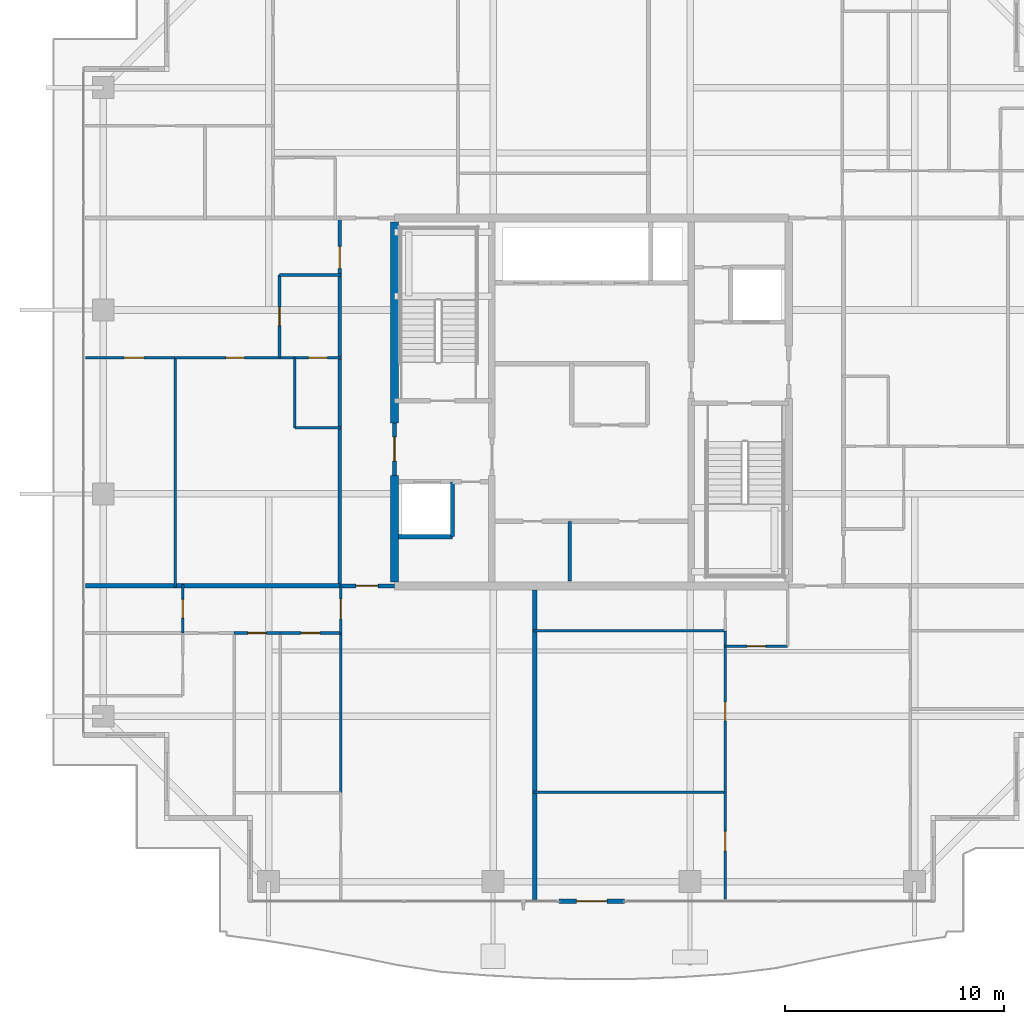
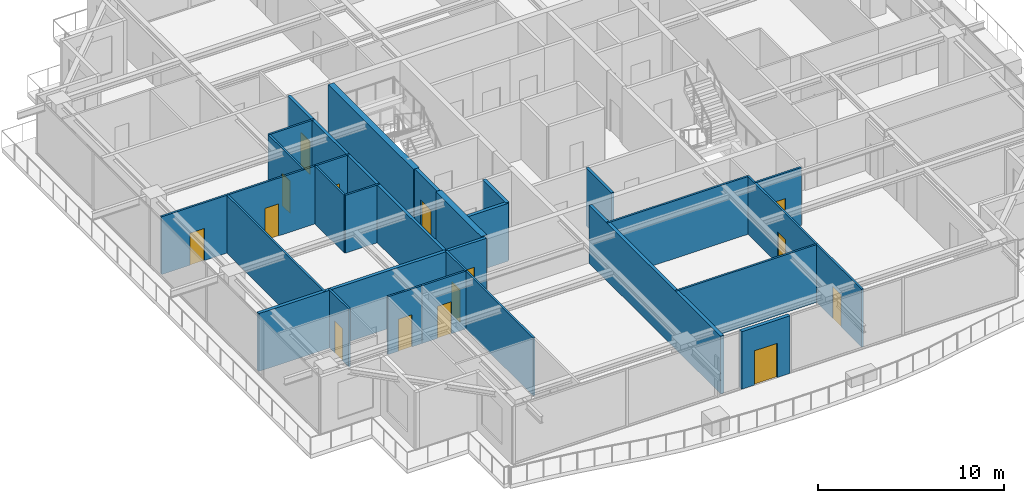
# One storey, part 30 of 41: 29 walls, 15 doors, 15 openings.
"""IFC4 building model written with IfcOpenShell, lengths in metres."""

from ifc_helpers import new_model, si_unit, direction, frame, frame_2d, origin, place, context, subcontext, project, spatial, rectangle, extrude, source, transform, mapped, material, layer, layer_set, type_object, element, fill, save


model = new_model("IFC4")

# Units and contexts
model_context = context("Model", 3, precision=1e-05, world=origin(), true_north=direction((0.0, 1.0)))
body_context = subcontext(model_context, "Body", "Model", "MODEL_VIEW")
ifc_project = project(units=[si_unit("LENGTHUNIT", "METRE"), si_unit("AREAUNIT", "SQUARE_METRE"), si_unit("VOLUMEUNIT", "CUBIC_METRE"), si_unit("PLANEANGLEUNIT", "RADIAN"), si_unit("MASSUNIT", "GRAM", prefix="KILO")], contexts=[model_context])

# Site, building, storey
site_placement = place(None, origin())
site = spatial("IfcSite", under=ifc_project, at=site_placement, CompositionType="ELEMENT")
building_placement = place(site_placement, origin())
building = spatial("IfcBuilding", under=site, at=building_placement, Name="Serunith Strait Residences", CompositionType="ELEMENT")
storey_placement = place(building_placement, frame((0.0, 0.0, 301.550048828125)))
storey = spatial("IfcBuildingStorey", under=building, at=storey_placement, Name="L75", CompositionType="ELEMENT", Elevation=301.550048828125)

# Wall, opening, door
ifc_material_1 = material(Name="Pale-Champagne Aluminium Insulated Panel", Category="aluminium")
ifc_layer_1 = layer(ifc_material_1, 0.219970703125, Name="Pale-Champagne Aluminium Insulated Panel")
ifc_layer_set_1 = layer_set([ifc_layer_1], Name="Pale-Champagne Aluminium Insulated Panel")
wall_type_1 = type_object("IfcWallType", Name="EW-ALUM-220", PredefinedType="ELEMENTEDWALL", material=ifc_layer_set_1)
wall_1_placement = place(storey_placement, frame((30.89990234375, 2.39990234375, 0.0), z_axis=(0.0, 0.0, 1.0), x_axis=(1.0, 0.0, 0.0)))
wall_1 = element("IfcWall", 1, at=wall_1_placement, inside=storey, type_object=wall_type_1, Name="L75 S Facade Pier Wall", PredefinedType="ELEMENTEDWALL", context=body_context, shape_type="SweptSolid", body=[
    extrude(rectangle(XDim=3.0, YDim=0.219970703125, at=frame_2d((1.5, 0.0))), origin(), (0.0, 0.0, 1.0), 3.77490234375),
])
opening_1_placement = place(wall_1_placement, frame((0.800048828125, 0.0, 0.0)))
opening_1 = element("IfcOpeningElement", 2, at=opening_1_placement, cuts=wall_1, Name="Opening ED-04", PredefinedType="OPENING", context=body_context, shape_type="SweptSolid", body=[
    extrude(rectangle(XDim=1.39990234375, YDim=2.25, at=frame_2d((0.699951171875, 1.125))), frame((0.0, 0.1201171875, 0.0), z_axis=(0.0, -1.0, 0.0), x_axis=(1.0, 0.0, 0.0)), (0.0, 0.0, 1.0), 0.239990234375),
])
ifc_material_2 = material(Name="Thermally-Broken Aluminium Sliding Balcony Door", Category="aluminium")
door_type_1 = type_object("IfcDoorType", Name="ED-BALC-1400", OperationType="NOTDEFINED", PredefinedType="DOOR", material=ifc_material_2)
shared_shape_1 = source(origin(), body_context, "Body", "SweptSolid", [
    extrude(rectangle(XDim=1.39990234375, YDim=2.25, at=frame_2d((0.699951171875, 1.125))), frame((0.0, 0.02490234375, 0.0), z_axis=(0.0, -1.0, 0.0), x_axis=(1.0, 0.0, 0.0)), (0.0, 0.0, 1.0), 0.050048828125),
])
door_1_placement = place(opening_1_placement, origin())
door_1 = element("IfcDoor", 3, at=door_1_placement, inside=storey, type_object=door_type_1, Name="L75 S Vertical-Forest Balcony Door", OperationType="SLIDING_TO_LEFT", OverallHeight=2.25, OverallWidth=1.39990234375, PredefinedType="DOOR", context=body_context, shape_type="MappedRepresentation", body=[
    mapped(shared_shape_1, transform((0.0, 0.0, 0.0), scale=1.0)),
])
fill(opening_1, door_1)

# Wall
ifc_material_3 = material(Name="Fire-rated masonry service closet wall", Category="masonry")
ifc_layer_2 = layer(ifc_material_3, 0.14990234375, Name="Fire-rated masonry service closet wall")
ifc_layer_set_2 = layer_set([ifc_layer_2], Name="Fire-rated masonry service closet wall")
wall_type_2 = type_object("IfcWallType", Name="IW-BOH-150", PredefinedType="PARTITIONING", material=ifc_layer_set_2)
wall_2_placement = place(storey_placement, frame((31.39990234375, 17.02001953125, 0.0), z_axis=(0.0, 0.0, 1.0), x_axis=(0.0, 1.0, 0.0)))
element("IfcWall", 4, at=wall_2_placement, inside=storey, type_object=wall_type_2, Name="L75 Partition Wall 014", PredefinedType="PARTITIONING", context=body_context, shape_type="SweptSolid", body=[
    extrude(rectangle(XDim=2.72998046875, YDim=0.14990234375, at=frame_2d((1.364990234375, 0.0))), origin(), (0.0, 0.0, 1.0), 3.7900390625),
])

# Wall, opening, door
ifc_material_4 = material(Name="Fire-rated acoustic gypsum partition")
ifc_layer_3 = layer(ifc_material_4, 0.179931640625, Name="Fire-rated acoustic gypsum partition")
ifc_layer_set_3 = layer_set([ifc_layer_3], Name="Fire-rated acoustic gypsum partition")
wall_type_3 = type_object("IfcWallType", Name="IW-CORR-180", PredefinedType="PARTITIONING", material=ifc_layer_set_3)
wall_3_placement = place(storey_placement, frame((20.902099609375, 16.800048828125, 0.0), z_axis=(0.0, 0.0, 1.0), x_axis=(1.0, 0.0, 0.0)))
wall_3 = element("IfcWall", 5, at=wall_3_placement, inside=storey, type_object=wall_type_3, Name="L75 Partition Wall 025", PredefinedType="PARTITIONING", context=body_context, shape_type="SweptSolid", body=[
    extrude(rectangle(XDim=2.495849609375, YDim=0.179931640625, at=frame_2d((1.248046875, 0.0))), origin(), (0.0, 0.0, 1.0), 3.7900390625),
])
opening_2_placement = place(wall_3_placement, frame((0.748046875, 0.0, 0.0)))
opening_2 = element("IfcOpeningElement", 6, at=opening_2_placement, cuts=wall_3, Name="Opening D-APT1000", PredefinedType="OPENING", context=body_context, shape_type="SweptSolid", body=[
    extrude(rectangle(XDim=1.0, YDim=2.14990234375, at=frame_2d((0.5, 1.074951171875))), frame((0.0, 0.10009765625, 0.0), z_axis=(0.0, -1.0, 0.0), x_axis=(1.0, 0.0, 0.0)), (0.0, 0.0, 1.0), 0.199951171875),
])
ifc_material_5 = material(Name="Solid timber engineered fire door", Category="wood")
door_type_2 = type_object("IfcDoorType", Name="ID-APT-1000", OperationType="NOTDEFINED", PredefinedType="DOOR", material=ifc_material_5)
shared_shape_2 = source(origin(), body_context, "Body", "SweptSolid", [
    extrude(rectangle(XDim=1.0, YDim=2.14990234375, at=frame_2d((0.5, 1.074951171875))), frame((0.0, 0.02490234375, 0.0), z_axis=(0.0, -1.0, 0.0), x_axis=(1.0, 0.0, 0.0)), (0.0, 0.0, 1.0), 0.050048828125),
])
door_2_placement = place(opening_2_placement, origin())
door_2 = element("IfcDoor", 7, at=door_2_placement, inside=storey, type_object=door_type_2, Name="L75 Unit 01 Entrance Door", OperationType="SINGLE_SWING_RIGHT", OverallHeight=2.14990234375, OverallWidth=1.0, PredefinedType="DOOR", context=body_context, shape_type="MappedRepresentation", body=[
    mapped(shared_shape_2, transform((0.0, 0.0, 0.0), scale=1.0)),
])
fill(opening_2, door_2)

wall_4_placement = place(storey_placement, frame((20.89990234375, 16.800048828125, 0.0), z_axis=(0.0, 0.0, 1.0), x_axis=(0.0, 1.0, 0.0)))
wall_4 = element("IfcWall", 8, at=wall_4_placement, inside=storey, type_object=wall_type_3, Name="L75 Partition Wall 027", PredefinedType="PARTITIONING", context=body_context, shape_type="SweptSolid", body=[
    extrude(rectangle(XDim=16.800048828125, YDim=0.179931640625, at=frame_2d((8.39990234375, 0.0))), origin(), (0.0, 0.0, 1.0), 3.7900390625),
])
opening_3_placement = place(wall_4_placement, frame((14.5, 0.0, 0.0)))
opening_3 = element("IfcOpeningElement", 9, at=opening_3_placement, cuts=wall_4, Name="Opening D-APT1000", PredefinedType="OPENING", context=body_context, shape_type="SweptSolid", body=[
    extrude(rectangle(XDim=1.0, YDim=2.14990234375, at=frame_2d((0.5, 1.074951171875))), frame((0.0, 0.10009765625, 0.0), z_axis=(0.0, -1.0, 0.0), x_axis=(1.0, 0.0, 0.0)), (0.0, 0.0, 1.0), 0.199951171875),
])
door_3_placement = place(opening_3_placement, origin())
door_3 = element("IfcDoor", 10, at=door_3_placement, inside=storey, type_object=door_type_2, Name="L75 Unit 05 Entrance Door", OperationType="SINGLE_SWING_RIGHT", OverallHeight=2.14990234375, OverallWidth=1.0, PredefinedType="DOOR", context=body_context, shape_type="MappedRepresentation", body=[
    mapped(shared_shape_2, transform((0.0, 0.0, 0.0), scale=1.0)),
])
fill(opening_3, door_3)

ifc_material_6 = material(Name="Lightweight steel-stud gypsum partition", Category="steel")
ifc_layer_4 = layer(ifc_material_6, 0.1201171875, Name="Lightweight steel-stud gypsum partition")
ifc_layer_set_4 = layer_set([ifc_layer_4], Name="Lightweight steel-stud gypsum partition")
wall_type_4 = type_object("IfcWallType", Name="IW-PART-120", PredefinedType="PARTITIONING", material=ifc_layer_set_4)
wall_5_placement = place(storey_placement, frame((20.949951171875, 14.64990234375, 0.0), z_axis=(0.0, 0.0, 1.0), x_axis=(0.0, 1.0, 0.0)))
wall_5 = element("IfcWall", 11, at=wall_5_placement, inside=storey, type_object=wall_type_4, Name="L75 Partition Wall 031", PredefinedType="PARTITIONING", context=body_context, shape_type="SweptSolid", body=[
    extrude(rectangle(XDim=2.148193359375, YDim=0.1201171875, at=frame_2d((1.07421875, 0.0))), origin(), (0.0, 0.0, 1.0), 3.7900390625),
])
opening_4_placement = place(wall_5_placement, frame((0.64208984375, 0.0, 0.0)))
opening_4 = element("IfcOpeningElement", 12, at=opening_4_placement, cuts=wall_5, Name="Opening D-RM900", PredefinedType="OPENING", context=body_context, shape_type="SweptSolid", body=[
    extrude(rectangle(XDim=0.89990234375, YDim=2.10009765625, at=frame_2d((0.449951171875, 1.050048828125))), frame((0.0, 0.070068359375, 0.0), z_axis=(0.0, -1.0, 0.0), x_axis=(1.0, 0.0, 0.0)), (0.0, 0.0, 1.0), 0.14013671875),
])
ifc_material_7 = material(Name="Engineered timber flush bedroom door", Category="wood")
door_type_3 = type_object("IfcDoorType", Name="ID-ROOM-900", OperationType="NOTDEFINED", PredefinedType="DOOR", material=ifc_material_7)
shared_shape_3 = source(origin(), body_context, "Body", "SweptSolid", [
    extrude(rectangle(XDim=0.89990234375, YDim=2.10009765625, at=frame_2d((0.449951171875, 1.050048828125))), frame((0.0, 0.02490234375, 0.0), z_axis=(0.0, -1.0, 0.0), x_axis=(1.0, 0.0, 0.0)), (0.0, 0.0, 1.0), 0.050048828125),
])
door_4_placement = place(opening_4_placement, origin())
door_4 = element("IfcDoor", 13, at=door_4_placement, inside=storey, type_object=door_type_3, Name="L75 Hall W 7501 Door", OperationType="SINGLE_SWING_RIGHT", OverallHeight=2.10009765625, OverallWidth=0.89990234375, PredefinedType="DOOR", context=body_context, shape_type="MappedRepresentation", body=[
    mapped(shared_shape_3, transform((0.0, 0.0, 0.0), scale=1.0)),
])
fill(opening_4, door_4)

# Wall
wall_6_placement = place(storey_placement, frame((20.949951171875, 7.364990234375, 0.0), z_axis=(0.0, 0.0, 1.0), x_axis=(0.0, 1.0, 0.0)))
element("IfcWall", 14, at=wall_6_placement, inside=storey, type_object=wall_type_4, Name="L75 Partition Wall 033", PredefinedType="PARTITIONING", context=body_context, shape_type="SweptSolid", body=[
    extrude(rectangle(XDim=7.282958984375, YDim=0.1201171875, at=frame_2d((3.6416015625, 0.0))), origin(), (0.0, 0.0, 1.0), 3.7900390625),
])

# Wall, opening, door
wall_7_placement = place(storey_placement, frame((16.080078125, 14.64990234375, 0.0), z_axis=(0.0, 0.0, 1.0), x_axis=(1.0, 0.0, 0.0)))
wall_7 = element("IfcWall", 15, at=wall_7_placement, inside=storey, type_object=wall_type_4, Name="L75 Partition Wall 037", PredefinedType="PARTITIONING", context=body_context, shape_type="SweptSolid", body=[
    extrude(rectangle(XDim=2.099853515625, YDim=0.1201171875, at=frame_2d((1.0498046875, 0.0))), origin(), (0.0, 0.0, 1.0), 3.7900390625),
])
opening_5_placement = place(wall_7_placement, frame((0.625, 0.0, 0.0)))
opening_5 = element("IfcOpeningElement", 16, at=opening_5_placement, cuts=wall_7, Name="Opening D-BTH850", PredefinedType="OPENING", context=body_context, shape_type="SweptSolid", body=[
    extrude(rectangle(XDim=0.85009765625, YDim=2.10009765625, at=frame_2d((0.425048828125, 1.050048828125))), frame((0.0, 0.070068359375, 0.0), z_axis=(0.0, -1.0, 0.0), x_axis=(1.0, 0.0, 0.0)), (0.0, 0.0, 1.0), 0.14013671875),
])
ifc_material_8 = material(Name="Moisture-resistant timber bathroom door", Category="wood")
door_type_4 = type_object("IfcDoorType", Name="ID-BATH-850", OperationType="NOTDEFINED", PredefinedType="DOOR", material=ifc_material_8)
shared_shape_4 = source(origin(), body_context, "Body", "SweptSolid", [
    extrude(rectangle(XDim=0.85009765625, YDim=2.10009765625, at=frame_2d((0.425048828125, 1.050048828125))), frame((0.0, 0.02490234375, 0.0), z_axis=(0.0, -1.0, 0.0), x_axis=(1.0, 0.0, 0.0)), (0.0, 0.0, 1.0), 0.050048828125),
])
door_5_placement = place(opening_5_placement, origin())
door_5 = element("IfcDoor", 17, at=door_5_placement, inside=storey, type_object=door_type_4, Name="L75 Bathroom 7501 Door", OperationType="SINGLE_SWING_RIGHT", OverallHeight=2.10009765625, OverallWidth=0.85009765625, PredefinedType="DOOR", context=body_context, shape_type="MappedRepresentation", body=[
    mapped(shared_shape_4, transform((0.0, 0.0, 0.0), scale=1.0)),
])
fill(opening_5, door_5)

wall_8_placement = place(storey_placement, frame((18.181884765625, 14.64990234375, 0.0), z_axis=(0.0, 0.0, 1.0), x_axis=(1.0, 0.0, 0.0)))
wall_8 = element("IfcWall", 18, at=wall_8_placement, inside=storey, type_object=wall_type_4, Name="L75 Partition Wall 038", PredefinedType="PARTITIONING", context=body_context, shape_type="SweptSolid", body=[
    extrude(rectangle(XDim=2.76806640625, YDim=0.1201171875, at=frame_2d((1.384033203125, 0.0))), origin(), (0.0, 0.0, 1.0), 3.7900390625),
])
opening_6_placement = place(wall_8_placement, frame((0.958984375, 0.0, 0.0)))
opening_6 = element("IfcOpeningElement", 19, at=opening_6_placement, cuts=wall_8, Name="Opening D-RM850", PredefinedType="OPENING", context=body_context, shape_type="SweptSolid", body=[
    extrude(rectangle(XDim=0.85009765625, YDim=2.10009765625, at=frame_2d((0.425048828125, 1.050048828125))), frame((0.0, 0.070068359375, 0.0), z_axis=(0.0, -1.0, 0.0), x_axis=(1.0, 0.0, 0.0)), (0.0, 0.0, 1.0), 0.14013671875),
])
ifc_material_9 = material(Name="Engineered timber flush study and kitchen door", Category="wood")
door_type_5 = type_object("IfcDoorType", Name="ID-ROOM-850", OperationType="NOTDEFINED", PredefinedType="DOOR", material=ifc_material_9)
door_6_placement = place(opening_6_placement, origin())
door_6 = element("IfcDoor", 20, at=door_6_placement, inside=storey, type_object=door_type_5, Name="L75 Kitchen 7501 Door", OperationType="SINGLE_SWING_LEFT", OverallHeight=2.10009765625, OverallWidth=0.85009765625, PredefinedType="DOOR", context=body_context, shape_type="MappedRepresentation", body=[
    mapped(shared_shape_4, transform((0.0, 0.0, 0.0), scale=1.0)),
])
fill(opening_6, door_6)

wall_9_placement = place(storey_placement, frame((13.72998046875, 14.652099609375, 0.0), z_axis=(0.0, 0.0, 1.0), x_axis=(0.0, 1.0, 0.0)))
wall_9 = element("IfcWall", 21, at=wall_9_placement, inside=storey, type_object=wall_type_4, Name="L75 Partition Wall 043", PredefinedType="PARTITIONING", context=body_context, shape_type="SweptSolid", body=[
    extrude(rectangle(XDim=2.2080078125, YDim=0.1201171875, at=frame_2d((1.10400390625, 0.0))), origin(), (0.0, 0.0, 1.0), 3.7900390625),
])
opening_7_placement = place(wall_9_placement, frame((0.678955078125, 0.0, 0.0)))
opening_7 = element("IfcOpeningElement", 22, at=opening_7_placement, cuts=wall_9, Name="Opening D-RM850", PredefinedType="OPENING", context=body_context, shape_type="SweptSolid", body=[
    extrude(rectangle(XDim=0.85009765625, YDim=2.10009765625, at=frame_2d((0.425048828125, 1.050048828125))), frame((0.0, 0.070068359375, 0.0), z_axis=(0.0, -1.0, 0.0), x_axis=(1.0, 0.0, 0.0)), (0.0, 0.0, 1.0), 0.14013671875),
])
door_7_placement = place(opening_7_placement, origin())
door_7 = element("IfcDoor", 23, at=door_7_placement, inside=storey, type_object=door_type_5, Name="L75 Wardrobe W 7501 Door", OperationType="SINGLE_SWING_RIGHT", OverallHeight=2.10009765625, OverallWidth=0.85009765625, PredefinedType="DOOR", context=body_context, shape_type="MappedRepresentation", body=[
    mapped(shared_shape_4, transform((0.0, 0.0, 0.0), scale=1.0)),
])
fill(opening_7, door_7)

wall_10_placement = place(storey_placement, frame((38.5, 14.050048828125, 0.0), z_axis=(0.0, 0.0, 1.0), x_axis=(1.0, 0.0, 0.0)))
wall_10 = element("IfcWall", 24, at=wall_10_placement, inside=storey, type_object=wall_type_4, Name="L75 Partition Wall 044", PredefinedType="PARTITIONING", context=body_context, shape_type="SweptSolid", body=[
    extrude(rectangle(XDim=2.85009765625, YDim=0.1201171875, at=frame_2d((1.425048828125, 0.0))), origin(), (0.0, 0.0, 1.0), 3.7900390625),
])
opening_8_placement = place(wall_10_placement, frame((1.0, 0.0, 0.0)))
opening_8 = element("IfcOpeningElement", 25, at=opening_8_placement, cuts=wall_10, Name="Opening D-RM850", PredefinedType="OPENING", context=body_context, shape_type="SweptSolid", body=[
    extrude(rectangle(XDim=0.85009765625, YDim=2.10009765625, at=frame_2d((0.425048828125, 1.050048828125))), frame((0.0, 0.070068359375, 0.0), z_axis=(0.0, -1.0, 0.0), x_axis=(1.0, 0.0, 0.0)), (0.0, 0.0, 1.0), 0.14013671875),
])
door_8_placement = place(opening_8_placement, origin())
door_8 = element("IfcDoor", 26, at=door_8_placement, inside=storey, type_object=door_type_5, Name="L75 Kitchen 7502 Door", OperationType="SINGLE_SWING_LEFT", OverallHeight=2.10009765625, OverallWidth=0.85009765625, PredefinedType="DOOR", context=body_context, shape_type="MappedRepresentation", body=[
    mapped(shared_shape_4, transform((0.0, 0.0, 0.0), scale=1.0)),
])
fill(opening_8, door_8)

wall_11_placement = place(storey_placement, frame((38.5, 2.4951171875, 0.0), z_axis=(0.0, 0.0, 1.0), x_axis=(0.0, 1.0, 0.0)))
wall_11 = element("IfcWall", 27, at=wall_11_placement, inside=storey, type_object=wall_type_4, Name="L75 Partition Wall 046", PredefinedType="PARTITIONING", context=body_context, shape_type="SweptSolid", body=[
    extrude(rectangle(XDim=4.890869140625, YDim=0.1201171875, at=frame_2d((2.4453125, 0.0))), origin(), (0.0, 0.0, 1.0), 3.7900390625),
])
opening_9_placement = place(wall_11_placement, frame((2.195068359375, 0.0, 0.0)))
opening_9 = element("IfcOpeningElement", 28, at=opening_9_placement, cuts=wall_11, Name="Opening D-RM900", PredefinedType="OPENING", context=body_context, shape_type="SweptSolid", body=[
    extrude(rectangle(XDim=0.89990234375, YDim=2.10009765625, at=frame_2d((0.449951171875, 1.050048828125))), frame((0.0, 0.070068359375, 0.0), z_axis=(0.0, -1.0, 0.0), x_axis=(1.0, 0.0, 0.0)), (0.0, 0.0, 1.0), 0.14013671875),
])
door_9_placement = place(opening_9_placement, origin())
door_9 = element("IfcDoor", 29, at=door_9_placement, inside=storey, type_object=door_type_3, Name="L75 Master Bedroom 1 7502 Door", OperationType="SINGLE_SWING_RIGHT", OverallHeight=2.10009765625, OverallWidth=0.89990234375, PredefinedType="DOOR", context=body_context, shape_type="MappedRepresentation", body=[
    mapped(shared_shape_3, transform((0.0, 0.0, 0.0), scale=1.0)),
])
fill(opening_9, door_9)

# Walls
for number, where, z_axis, x_axis, name in (
    (30, (29.739990234375, 7.385986328125, 0.0), (0.0, 0.0, 1.0), (1.0, 0.0, 0.0), "L75 Partition Wall 047"),
    (31, (29.739990234375, 14.75, 0.0), (0.0, 0.0, 1.0), (1.0, 0.0, 0.0), "L75 Partition Wall 048"),
):
    element("IfcWall", number, at=place(storey_placement, frame(where, z_axis=z_axis, x_axis=x_axis)), inside=storey, type_object=wall_type_4, Name=name, PredefinedType="PARTITIONING", context=body_context, shape_type="SweptSolid", body=[
        extrude(rectangle(XDim=8.760009765625, YDim=0.1201171875, at=frame_2d((4.3798828125, 0.0))), origin(), (0.0, 0.0, 1.0), 3.7900390625),
    ])

# Wall, opening, door
wall_12_placement = place(storey_placement, frame((38.5, 7.387939453125, 0.0), z_axis=(0.0, 0.0, 1.0), x_axis=(0.0, 1.0, 0.0)))
wall_12 = element("IfcWall", 32, at=wall_12_placement, inside=storey, type_object=wall_type_4, Name="L75 Partition Wall 049", PredefinedType="PARTITIONING", context=body_context, shape_type="SweptSolid", body=[
    extrude(rectangle(XDim=7.362060546875, YDim=0.1201171875, at=frame_2d((3.68115234375, 0.0))), origin(), (0.0, 0.0, 1.0), 3.7900390625),
])
opening_10_placement = place(wall_12_placement, frame((3.256103515625, 0.0, 0.0)))
opening_10 = element("IfcOpeningElement", 33, at=opening_10_placement, cuts=wall_12, Name="Opening D-RM850", PredefinedType="OPENING", context=body_context, shape_type="SweptSolid", body=[
    extrude(rectangle(XDim=0.85009765625, YDim=2.10009765625, at=frame_2d((0.425048828125, 1.050048828125))), frame((0.0, 0.070068359375, 0.0), z_axis=(0.0, -1.0, 0.0), x_axis=(1.0, 0.0, 0.0)), (0.0, 0.0, 1.0), 0.14013671875),
])
door_10_placement = place(opening_10_placement, origin())
door_10 = element("IfcDoor", 34, at=door_10_placement, inside=storey, type_object=door_type_5, Name="L75 Walk-in Wardrobe 7502 Door", OperationType="SINGLE_SWING_LEFT", OverallHeight=2.10009765625, OverallWidth=0.85009765625, PredefinedType="DOOR", context=body_context, shape_type="MappedRepresentation", body=[
    mapped(shared_shape_4, transform((0.0, 0.0, 0.0), scale=1.0)),
])
fill(opening_10, door_10)

wall_13_placement = place(storey_placement, frame((18.14990234375, 27.219970703125, 0.0), z_axis=(0.0, 0.0, 1.0), x_axis=(0.0, 1.0, 0.0)))
wall_13 = element("IfcWall", 35, at=wall_13_placement, inside=storey, type_object=wall_type_4, Name="L75 Partition Wall 081", PredefinedType="PARTITIONING", context=body_context, shape_type="SweptSolid", body=[
    extrude(rectangle(XDim=3.780029296875, YDim=0.1201171875, at=frame_2d((1.89013671875, 0.0))), origin(), (0.0, 0.0, 1.0), 3.7900390625),
])
opening_11_placement = place(wall_13_placement, frame((1.465087890625, 0.0, 0.0)))
opening_11 = element("IfcOpeningElement", 36, at=opening_11_placement, cuts=wall_13, Name="Opening D-RM850", PredefinedType="OPENING", context=body_context, shape_type="SweptSolid", body=[
    extrude(rectangle(XDim=0.85009765625, YDim=2.10009765625, at=frame_2d((0.425048828125, 1.050048828125))), frame((0.0, 0.070068359375, 0.0), z_axis=(0.0, -1.0, 0.0), x_axis=(1.0, 0.0, 0.0)), (0.0, 0.0, 1.0), 0.14013671875),
])
door_11_placement = place(opening_11_placement, origin())
door_11 = element("IfcDoor", 37, at=door_11_placement, inside=storey, type_object=door_type_5, Name="L75 Kitchen 7505 Door", OperationType="SINGLE_SWING_RIGHT", OverallHeight=2.10009765625, OverallWidth=0.85009765625, PredefinedType="DOOR", context=body_context, shape_type="MappedRepresentation", body=[
    mapped(shared_shape_4, transform((0.0, 0.0, 0.0), scale=1.0)),
])
fill(opening_11, door_11)

# Wall
wall_14_placement = place(storey_placement, frame((18.14990234375, 31.0, 0.0), z_axis=(0.0, 0.0, 1.0), x_axis=(1.0, 0.0, 0.0)))
element("IfcWall", 38, at=wall_14_placement, inside=storey, type_object=wall_type_4, Name="L75 Partition Wall 082", PredefinedType="PARTITIONING", context=body_context, shape_type="SweptSolid", body=[
    extrude(rectangle(XDim=2.81005859375, YDim=0.1201171875, at=frame_2d((1.405029296875, 0.0))), origin(), (0.0, 0.0, 1.0), 3.7900390625),
])

# Wall, opening, door
wall_15_placement = place(storey_placement, frame((9.294921875, 27.219970703125, 0.0), z_axis=(0.0, 0.0, 1.0), x_axis=(1.0, 0.0, 0.0)))
wall_15 = element("IfcWall", 39, at=wall_15_placement, inside=storey, type_object=wall_type_4, Name="L75 Partition Wall 083", PredefinedType="PARTITIONING", context=body_context, shape_type="SweptSolid", body=[
    extrude(rectangle(XDim=4.093994140625, YDim=0.1201171875, at=frame_2d((2.046875, 0.0))), origin(), (0.0, 0.0, 1.0), 3.7900390625),
])
opening_12_placement = place(wall_15_placement, frame((1.757080078125, 0.0, 0.0)))
opening_12 = element("IfcOpeningElement", 40, at=opening_12_placement, cuts=wall_15, Name="Opening D-RM900", PredefinedType="OPENING", context=body_context, shape_type="SweptSolid", body=[
    extrude(rectangle(XDim=0.89990234375, YDim=2.10009765625, at=frame_2d((0.449951171875, 1.050048828125))), frame((0.0, 0.070068359375, 0.0), z_axis=(0.0, -1.0, 0.0), x_axis=(1.0, 0.0, 0.0)), (0.0, 0.0, 1.0), 0.14013671875),
])
door_12_placement = place(opening_12_placement, origin())
door_12 = element("IfcDoor", 41, at=door_12_placement, inside=storey, type_object=door_type_3, Name="L75 Master Bedroom 1 7505 Door", OperationType="SINGLE_SWING_LEFT", OverallHeight=2.10009765625, OverallWidth=0.89990234375, PredefinedType="DOOR", context=body_context, shape_type="MappedRepresentation", body=[
    mapped(shared_shape_3, transform((0.0, 0.0, 0.0), scale=1.0)),
])
fill(opening_12, door_12)

# Walls
wall_16_placement = place(storey_placement, frame((13.388916015625, 16.739990234375, 0.0), z_axis=(0.0, 0.0, 1.0), x_axis=(0.0, 1.0, 0.0)))
element("IfcWall", 42, at=wall_16_placement, inside=storey, type_object=wall_type_4, Name="L75 Partition Wall 084", PredefinedType="PARTITIONING", context=body_context, shape_type="SweptSolid", body=[
    extrude(rectangle(XDim=10.47998046875, YDim=0.1201171875, at=frame_2d((5.239990234375, 0.0))), origin(), (0.0, 0.0, 1.0), 3.7900390625),
])
wall_17_placement = place(storey_placement, frame((18.85009765625, 24.02001953125, 0.0), z_axis=(0.0, 0.0, 1.0), x_axis=(0.0, 1.0, 0.0)))
element("IfcWall", 43, at=wall_17_placement, inside=storey, type_object=wall_type_4, Name="L75 Partition Wall 085", PredefinedType="PARTITIONING", context=body_context, shape_type="SweptSolid", body=[
    extrude(rectangle(XDim=3.199951171875, YDim=0.1201171875, at=frame_2d((1.60009765625, 0.0))), origin(), (0.0, 0.0, 1.0), 3.7900390625),
])
wall_18_placement = place(storey_placement, frame((18.85009765625, 24.02001953125, 0.0), z_axis=(0.0, 0.0, 1.0), x_axis=(1.0, 0.0, 0.0)))
element("IfcWall", 44, at=wall_18_placement, inside=storey, type_object=wall_type_4, Name="L75 Partition Wall 086", PredefinedType="PARTITIONING", context=body_context, shape_type="SweptSolid", body=[
    extrude(rectangle(XDim=2.10986328125, YDim=0.1201171875, at=frame_2d((1.054931640625, 0.0))), origin(), (0.0, 0.0, 1.0), 3.7900390625),
])

# Wall, opening, door
wall_19_placement = place(storey_placement, frame((13.39111328125, 27.219970703125, 0.0), z_axis=(0.0, 0.0, 1.0), x_axis=(1.0, 0.0, 0.0)))
wall_19 = element("IfcWall", 45, at=wall_19_placement, inside=storey, type_object=wall_type_4, Name="L75 Partition Wall 087", PredefinedType="PARTITIONING", context=body_context, shape_type="SweptSolid", body=[
    extrude(rectangle(XDim=5.458984375, YDim=0.1201171875, at=frame_2d((2.7294921875, 0.0))), origin(), (0.0, 0.0, 1.0), 3.7900390625),
])
opening_13_placement = place(wall_19_placement, frame((2.304931640625, 0.0, 0.0)))
opening_13 = element("IfcOpeningElement", 46, at=opening_13_placement, cuts=wall_19, Name="Opening D-RM850", PredefinedType="OPENING", context=body_context, shape_type="SweptSolid", body=[
    extrude(rectangle(XDim=0.85009765625, YDim=2.10009765625, at=frame_2d((0.425048828125, 1.050048828125))), frame((0.0, 0.070068359375, 0.0), z_axis=(0.0, -1.0, 0.0), x_axis=(1.0, 0.0, 0.0)), (0.0, 0.0, 1.0), 0.14013671875),
])
door_13_placement = place(opening_13_placement, origin())
door_13 = element("IfcDoor", 47, at=door_13_placement, inside=storey, type_object=door_type_5, Name="L75 Walk-in Wardrobe 7505 Door", OperationType="SINGLE_SWING_RIGHT", OverallHeight=2.10009765625, OverallWidth=0.85009765625, PredefinedType="DOOR", context=body_context, shape_type="MappedRepresentation", body=[
    mapped(shared_shape_4, transform((0.0, 0.0, 0.0), scale=1.0)),
])
fill(opening_13, door_13)

wall_20_placement = place(storey_placement, frame((18.85205078125, 27.219970703125, 0.0), z_axis=(0.0, 0.0, 1.0), x_axis=(1.0, 0.0, 0.0)))
wall_20 = element("IfcWall", 48, at=wall_20_placement, inside=storey, type_object=wall_type_4, Name="L75 Partition Wall 088", PredefinedType="PARTITIONING", context=body_context, shape_type="SweptSolid", body=[
    extrude(rectangle(XDim=2.10791015625, YDim=0.1201171875, at=frame_2d((1.053955078125, 0.0))), origin(), (0.0, 0.0, 1.0), 3.7900390625),
])
opening_14_placement = place(wall_20_placement, frame((0.62890625, 0.0, 0.0)))
opening_14 = element("IfcOpeningElement", 49, at=opening_14_placement, cuts=wall_20, Name="Opening D-BTH850", PredefinedType="OPENING", context=body_context, shape_type="SweptSolid", body=[
    extrude(rectangle(XDim=0.85009765625, YDim=2.10009765625, at=frame_2d((0.425048828125, 1.050048828125))), frame((0.0, 0.070068359375, 0.0), z_axis=(0.0, -1.0, 0.0), x_axis=(1.0, 0.0, 0.0)), (0.0, 0.0, 1.0), 0.14013671875),
])
door_14_placement = place(opening_14_placement, origin())
door_14 = element("IfcDoor", 50, at=door_14_placement, inside=storey, type_object=door_type_4, Name="L75 Bathroom 7505 Door", OperationType="SINGLE_SWING_LEFT", OverallHeight=2.10009765625, OverallWidth=0.85009765625, PredefinedType="DOOR", context=body_context, shape_type="MappedRepresentation", body=[
    mapped(shared_shape_4, transform((0.0, 0.0, 0.0), scale=1.0)),
])
fill(opening_14, door_14)

# Walls
ifc_material_10 = material(Name="Twin-stud acoustic gypsum board partition")
ifc_layer_5 = layer(ifc_material_10, 0.199951171875, Name="Twin-stud acoustic gypsum board partition")
ifc_layer_set_5 = layer_set([ifc_layer_5], Name="Twin-stud acoustic gypsum board partition")
wall_type_5 = type_object("IfcWallType", Name="IW-PARTY-200", PredefinedType="PARTITIONING", material=ifc_layer_set_5)
wall_21_placement = place(storey_placement, frame((29.800048828125, 2.48193359375, 0.0), z_axis=(0.0, 0.0, 1.0), x_axis=(0.0, 1.0, 0.0)))
element("IfcWall", 51, at=wall_21_placement, inside=storey, type_object=wall_type_5, Name="L75 Partition Wall 019", PredefinedType="PARTITIONING", context=body_context, shape_type="SweptSolid", body=[
    extrude(rectangle(XDim=14.14306640625, YDim=0.199951171875, at=frame_2d((7.071533203125, 0.0))), origin(), (0.0, 0.0, 1.0), 3.7900390625),
])
wall_22_placement = place(storey_placement, frame((9.281982421875, 16.800048828125, 0.0), z_axis=(0.0, 0.0, 1.0), x_axis=(1.0, 0.0, 0.0)))
element("IfcWall", 52, at=wall_22_placement, inside=storey, type_object=wall_type_5, Name="L75 Partition Wall 021", PredefinedType="PARTITIONING", context=body_context, shape_type="SweptSolid", body=[
    extrude(rectangle(XDim=11.617919921875, YDim=0.199951171875, at=frame_2d((5.80908203125, 0.0))), origin(), (0.0, 0.0, 1.0), 3.7900390625),
])
ifc_material_11 = material(Name="Autoclaved aerated concrete blockwork", Category="masonry")
ifc_layer_6 = layer(ifc_material_11, 0.199951171875, Name="Autoclaved aerated concrete blockwork")
ifc_layer_set_6 = layer_set([ifc_layer_6], Name="Autoclaved aerated concrete blockwork")
wall_type_6 = type_object("IfcWallType", Name="IW-SHAFT-200", PredefinedType="STANDARD", material=ifc_layer_set_6)
wall_23_placement = place(storey_placement, frame((26.050048828125, 19.050048828125, 0.0), z_axis=(0.0, 0.0, 1.0), x_axis=(0.0, 1.0, 0.0)))
element("IfcWall", 53, at=wall_23_placement, inside=storey, type_object=wall_type_6, Name="L75 Partition Wall 001", PredefinedType="STANDARD", context=body_context, shape_type="SweptSolid", body=[
    extrude(rectangle(XDim=2.5, YDim=0.199951171875, at=frame_2d((1.25, 0.0))), origin(), (0.0, 0.0, 1.0), 3.7900390625),
])
wall_24_placement = place(storey_placement, frame((23.574951171875, 19.050048828125, 0.0), z_axis=(0.0, 0.0, 1.0), x_axis=(1.0, 0.0, 0.0)))
element("IfcWall", 54, at=wall_24_placement, inside=storey, type_object=wall_type_6, Name="L75 Partition Wall 002", PredefinedType="STANDARD", context=body_context, shape_type="SweptSolid", body=[
    extrude(rectangle(XDim=2.47509765625, YDim=0.199951171875, at=frame_2d((1.237548828125, 0.0))), origin(), (0.0, 0.0, 1.0), 3.7900390625),
])

# Wall, opening, door
wall_25_placement = place(storey_placement, frame((23.39990234375, 21.85205078125, 0.0), z_axis=(0.0, 0.0, 1.0), x_axis=(0.0, 1.0, 0.0)))
wall_25 = element("IfcWall", 55, at=wall_25_placement, inside=storey, type_object=wall_type_6, Name="L75 Partition Wall 007", PredefinedType="STANDARD", context=body_context, shape_type="SweptSolid", body=[
    extrude(rectangle(XDim=2.39599609375, YDim=0.199951171875, at=frame_2d((1.197998046875, 0.0))), origin(), (0.0, 0.0, 1.0), 3.7900390625),
])
opening_15_placement = place(wall_25_placement, frame((0.64794921875, 0.0, 0.0)))
opening_15 = element("IfcOpeningElement", 56, at=opening_15_placement, cuts=wall_25, Name="Opening FD-FFL", PredefinedType="OPENING", context=body_context, shape_type="SweptSolid", body=[
    extrude(rectangle(XDim=1.10009765625, YDim=2.14990234375, at=frame_2d((0.550048828125, 1.074951171875))), frame((0.0, 0.10986328125, 0.0), z_axis=(0.0, -1.0, 0.0), x_axis=(1.0, 0.0, 0.0)), (0.0, 0.0, 1.0), 0.219970703125),
])
ifc_material_12 = material(Name="Glazed steel smoke-lobby fire door", Category="steel")
door_type_6 = type_object("IfcDoorType", Name="FD-FFL-1100", OperationType="NOTDEFINED", PredefinedType="DOOR", material=ifc_material_12)
shared_shape_5 = source(origin(), body_context, "Body", "SweptSolid", [
    extrude(rectangle(XDim=1.10009765625, YDim=2.14990234375, at=frame_2d((0.550048828125, 1.074951171875))), frame((0.0, 0.02490234375, 0.0), z_axis=(0.0, -1.0, 0.0), x_axis=(1.0, 0.0, 0.0)), (0.0, 0.0, 1.0), 0.050048828125),
])
door_15_placement = place(opening_15_placement, origin())
door_15 = element("IfcDoor", 57, at=door_15_placement, inside=storey, type_object=door_type_6, Name="L75 FFL-1 Corridor Fire Door", OperationType="SINGLE_SWING_RIGHT", OverallHeight=2.14990234375, OverallWidth=1.10009765625, PredefinedType="DOOR", context=body_context, shape_type="MappedRepresentation", body=[
    mapped(shared_shape_5, transform((0.0, 0.0, 0.0), scale=1.0)),
])
fill(opening_15, door_15)

# Walls
ifc_material_13 = material(Name="Concrete C60/75", Category="concrete")
ifc_layer_7 = layer(ifc_material_13, 0.35009765625, Name="Concrete C60/75")
ifc_layer_set_7 = layer_set([ifc_layer_7], Name="Concrete C60/75")
wall_type_7 = type_object("IfcWallType", Name="SW-350-C60", PredefinedType="SHEAR", material=ifc_layer_set_7)
wall_26_placement = place(storey_placement, frame((23.39990234375, 16.97509765625, -0.260009765625), z_axis=(0.0, 0.0, 1.0), x_axis=(0.0, 1.0, 0.0)))
element("IfcWall", 58, at=wall_26_placement, inside=storey, type_object=wall_type_7, Name="L75 Core West Shear Wall South Pier", PredefinedType="SHEAR", context=body_context, shape_type="SweptSolid", body=[
    extrude(rectangle(XDim=4.875, YDim=0.35009765625, at=frame_2d((2.4375, 0.0))), origin(), (0.0, 0.0, 1.0), 4.0478515625),
])
wall_27_placement = place(storey_placement, frame((23.39990234375, 24.25, -0.260009765625), z_axis=(0.0, 0.0, 1.0), x_axis=(0.0, 1.0, 0.0)))
element("IfcWall", 59, at=wall_27_placement, inside=storey, type_object=wall_type_7, Name="L75 Core West Shear Wall North Pier", PredefinedType="SHEAR", context=body_context, shape_type="SweptSolid", body=[
    extrude(rectangle(XDim=9.175048828125, YDim=0.35009765625, at=frame_2d((4.58740234375, 0.0))), origin(), (0.0, 0.0, 1.0), 4.0478515625),
])

save(model, "model.ifc")
